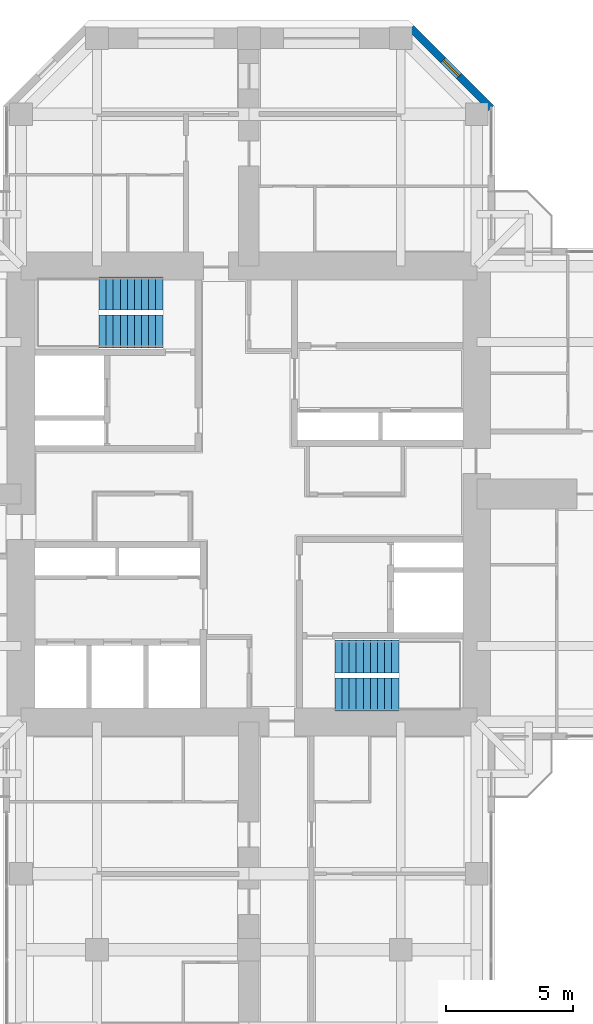
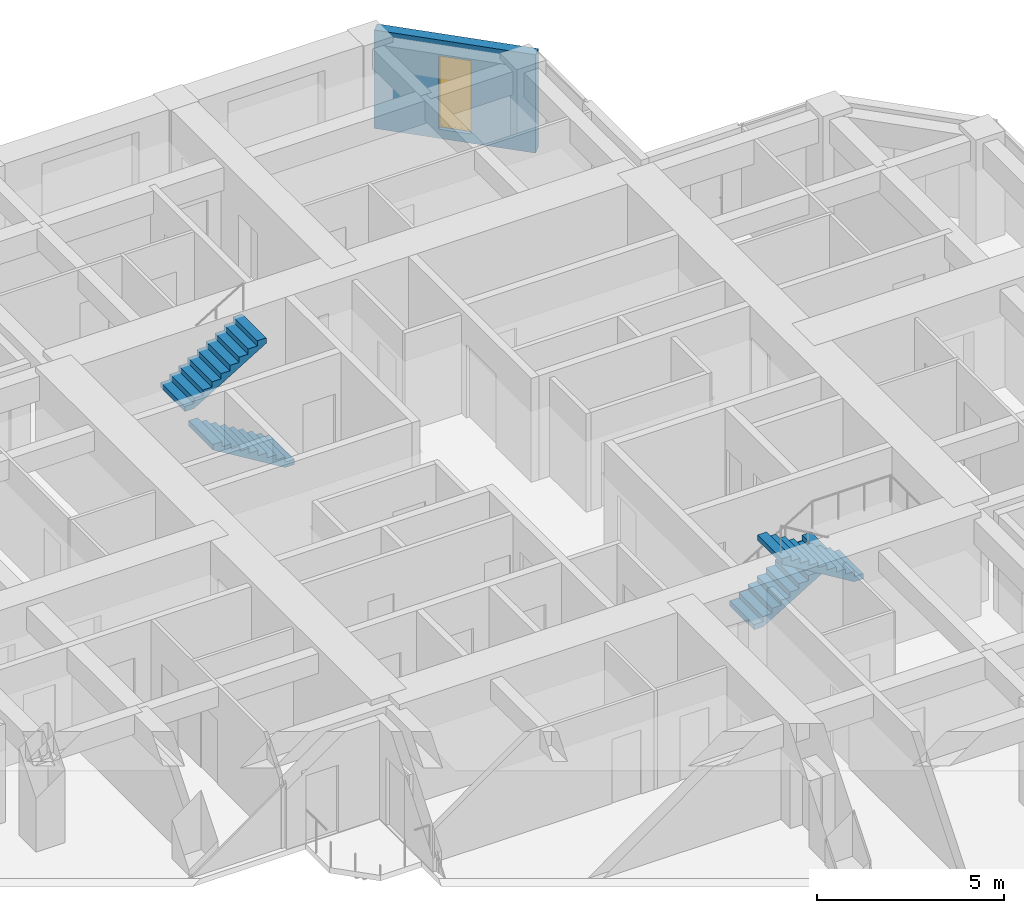
# One storey, part 13 of 14: 4 stair flights, 1 wall, 1 window, 1 opening, 2 elements without a shape of their own.
"""IFC4 building model written with IfcOpenShell, lengths in metres."""

from ifc_helpers import new_model, si_unit, direction, frame, frame_2d, origin, place, context, subcontext, project, spatial, polyline, rectangle, hollow_rectangle, outline, extrude, material, layer, layer_set, constituent, constituent_set, type_object, element, fill, aggregate, save


model = new_model("IFC4")

# Units and contexts
model_context = context("Model", 3, precision=1e-05, world=origin(), true_north=direction((0.0, 1.0)))
body_context = subcontext(model_context, "Body", "Model", "MODEL_VIEW")
ifc_project = project(units=[si_unit("LENGTHUNIT", "METRE"), si_unit("AREAUNIT", "SQUARE_METRE"), si_unit("VOLUMEUNIT", "CUBIC_METRE"), si_unit("PLANEANGLEUNIT", "RADIAN"), si_unit("MASSUNIT", "GRAM", prefix="KILO")], contexts=[model_context])

# Site, building, storey
site_placement = place(None, origin())
site = spatial("IfcSite", under=ifc_project, at=site_placement, CompositionType="ELEMENT")
building_placement = place(site_placement, origin())
building = spatial("IfcBuilding", under=site, at=building_placement, Name="Torre Cruceta", CompositionType="ELEMENT")
storey_placement = place(building_placement, frame((0.0, 0.0, 179.699951171875)))
storey = spatial("IfcBuildingStorey", under=building, at=storey_placement, Name="L44", CompositionType="ELEMENT", Elevation=179.699951171875)

# Wall, opening, window
ifc_material_1 = material(Name="Concrete G30 (fck 30 MPa)", Category="concrete")
ifc_layer = layer(ifc_material_1, 0.300048828125)
ifc_layer_set = layer_set([ifc_layer], Name="Concrete G30 (fck 30 MPa)")
wall_type = type_object("IfcWallType", Name="EXPOSED CONCRETE FACADE WALL 300", PredefinedType="SOLIDWALL", material=ifc_layer_set)
wall_placement = place(storey_placement, frame((9.570068359375, 15.236083984375, 0.0), z_axis=(0.0, 0.0, 1.0), x_axis=(-0.707134062067, 0.707079499254, 0.0)))
wall = element("IfcWall", 1, at=wall_placement, inside=storey, type_object=wall_type, Name="EW1 facade wall L44 N chamfer 06", PredefinedType="SOLIDWALL", context=body_context, shape_type="SweptSolid", body=[
    extrude(rectangle(XDim=4.474609375, YDim=0.300048828125, at=frame_2d((2.2373046875, 0.0))), origin(), (0.0, 0.0, 1.0), 3.219970703125),
])
opening_placement = place(wall_placement, frame((1.787109375, 0.0, 0.300048828125)))
opening = element("IfcOpeningElement", 2, at=opening_placement, cuts=wall, Name="Opening WN5", PredefinedType="OPENING", context=body_context, shape_type="SweptSolid", body=[
    extrude(rectangle(XDim=0.89990234375, YDim=2.39990234375, at=frame_2d((0.449951171875, 1.199951171875))), frame((0.0, 0.159912109375, 0.0), z_axis=(0.0, -1.0, 0.0), x_axis=(1.0, 0.0, 0.0)), (0.0, 0.0, 1.0), 0.320068359375),
])
ifc_material_2 = material(Name="Aluminium window frame", Category="aluminium")
ifc_constituent_1 = constituent(ifc_material_2, Name="Frame")
ifc_material_3 = material(Name="Laminated insulating glass unit, low-iron clear", Category="glass")
ifc_constituent_2 = constituent(ifc_material_3, Name="Glazing")
ifc_constituent_set = constituent_set(constituents=[ifc_constituent_1, ifc_constituent_2], Name="Aluminium window")
window_type = type_object("IfcWindowType", Name="CHAMFER SLOT WINDOW 900X2400", PartitioningType="SINGLE_PANEL", PredefinedType="WINDOW", material=ifc_constituent_set)
window_placement = place(opening_placement, origin())
window = element("IfcWindow", 3, at=window_placement, inside=storey, type_object=window_type, Name="WN5 L44 N 1", OverallHeight=2.39990234375, OverallWidth=0.89990234375, PartitioningType="SINGLE_PANEL", PredefinedType="WINDOW", context=body_context, shape_type="SweptSolid", body=[
    extrude(hollow_rectangle(XDim=0.89990234375, YDim=2.39990234375, WallThickness=0.06005859375, at=frame_2d((0.449951171875, 1.199951171875))), frame((0.0, 0.030029296875, 0.0), z_axis=(0.0, -1.0, 0.0), x_axis=(1.0, 0.0, 0.0)), (0.0, 0.0, 1.0), 0.06005859375),
    extrude(rectangle(XDim=0.77880859375, YDim=2.27880859375, at=frame_2d((0.449951171875, 1.199951171875))), frame((0.0, 0.030029296875, 0.0), z_axis=(0.0, -1.0, 0.0), x_axis=(1.0, 0.0, 0.0)), (0.0, 0.0, 1.0), 0.06005859375),
])
fill(opening, window)

# Stair, stair flights
ifc_material_4 = material(Name="Concrete G30 (fck 30 MPa)", Category="concrete")
stair_type = type_object("IfcStairType", Name="STAIR HALF-TURN 1300", PredefinedType="HALF_TURN_STAIR", material=ifc_material_4)
stair_1_placement = place(storey_placement, origin())
stair_1 = element("IfcStair", 4, at=stair_1_placement, inside=storey, type_object=stair_type, Name="Stair ST1 L44", PredefinedType="HALF_TURN_STAIR")
ifc_material_5 = material(Name="Concrete G30 (fck 30 MPa)", Category="concrete")
stair_flight_type = type_object("IfcStairFlightType", Name="STAIR FLIGHT 1300", PredefinedType="STRAIGHT", material=ifc_material_5)
stair_flight_1_placement = place(storey_placement, frame((-3.39990234375, 6.425048828125, 0.0), z_axis=(0.0, 0.0, 1.0), x_axis=(-1.0, 0.0, 0.0)))
stair_flight_1 = element("IfcStairFlight", 5, at=stair_flight_1_placement, type_object=stair_flight_type, Name="ST1 flight 1", NumberOfRisers=10, NumberOfTreads=9, PredefinedType="STRAIGHT", RiserHeight=0.17, TreadLength=0.28, context=body_context, shape_type="SweptSolid", body=[
    extrude(outline(polyline([(0.0, 0.0), (0.0, 0.169921875), (0.280029296875, 0.169921875), (0.280029296875, 0.340087890625), (0.56005859375, 0.340087890625), (0.56005859375, 0.510009765625), (0.840087890625, 0.510009765625), (0.840087890625, 0.679931640625), (1.1201171875, 0.679931640625), (1.1201171875, 0.85009765625), (1.39990234375, 0.85009765625), (1.39990234375, 1.02001953125), (1.679931640625, 1.02001953125), (1.679931640625, 1.18994140625), (1.9599609375, 1.18994140625), (1.9599609375, 1.360107421875), (2.239990234375, 1.360107421875), (2.239990234375, 1.530029296875), (2.52001953125, 1.530029296875), (2.52001953125, 1.699951171875), (2.52001953125, 1.354736328125), (0.288818359375, 0.0), (0.0, 0.0)])), frame((0.0, 0.64990234375, 0.0), z_axis=(0.0, -1.0, 0.0), x_axis=(1.0, 0.0, 0.0)), (0.0, 0.0, 1.0), 1.300048828125),
])
stair_flight_2_placement = place(storey_placement, frame((-5.919921875, 7.925048828125, 1.699951171875), z_axis=(0.0, 0.0, 1.0), x_axis=(1.0, 0.0, 0.0)))
stair_flight_2 = element("IfcStairFlight", 6, at=stair_flight_2_placement, type_object=stair_flight_type, Name="ST1 flight 2", NumberOfRisers=10, NumberOfTreads=9, PredefinedType="STRAIGHT", RiserHeight=0.17, TreadLength=0.28, context=body_context, shape_type="SweptSolid", body=[
    extrude(outline(polyline([(0.0, 0.0), (0.0, 0.169921875), (0.280029296875, 0.169921875), (0.280029296875, 0.340087890625), (0.56005859375, 0.340087890625), (0.56005859375, 0.510009765625), (0.840087890625, 0.510009765625), (0.840087890625, 0.679931640625), (1.1201171875, 0.679931640625), (1.1201171875, 0.85009765625), (1.39990234375, 0.85009765625), (1.39990234375, 1.02001953125), (1.679931640625, 1.02001953125), (1.679931640625, 1.18994140625), (1.9599609375, 1.18994140625), (1.9599609375, 1.360107421875), (2.239990234375, 1.360107421875), (2.239990234375, 1.530029296875), (2.52001953125, 1.530029296875), (2.52001953125, 1.699951171875), (2.52001953125, 1.354736328125), (0.288818359375, 0.0), (0.0, 0.0)])), frame((0.0, 0.64990234375, 0.0), z_axis=(0.0, -1.0, 0.0), x_axis=(1.0, 0.0, 0.0)), (0.0, 0.0, 1.0), 1.300048828125),
])
aggregate(stair_1, [stair_flight_1, stair_flight_2])

stair_2_placement = place(storey_placement, origin())
stair_2 = element("IfcStair", 7, at=stair_2_placement, inside=storey, type_object=stair_type, Name="Stair ST2 L44", PredefinedType="HALF_TURN_STAIR")
stair_flight_3_placement = place(storey_placement, frame((3.39990234375, -6.425048828125, 0.0), z_axis=(0.0, 0.0, 1.0), x_axis=(1.0, 0.0, 0.0)))
stair_flight_3 = element("IfcStairFlight", 8, at=stair_flight_3_placement, type_object=stair_flight_type, Name="ST2 flight 1", NumberOfRisers=10, NumberOfTreads=9, PredefinedType="STRAIGHT", RiserHeight=0.17, TreadLength=0.28, context=body_context, shape_type="SweptSolid", body=[
    extrude(outline(polyline([(0.0, 0.0), (0.0, 0.169921875), (0.280029296875, 0.169921875), (0.280029296875, 0.340087890625), (0.56005859375, 0.340087890625), (0.56005859375, 0.510009765625), (0.840087890625, 0.510009765625), (0.840087890625, 0.679931640625), (1.1201171875, 0.679931640625), (1.1201171875, 0.85009765625), (1.39990234375, 0.85009765625), (1.39990234375, 1.02001953125), (1.679931640625, 1.02001953125), (1.679931640625, 1.18994140625), (1.9599609375, 1.18994140625), (1.9599609375, 1.360107421875), (2.239990234375, 1.360107421875), (2.239990234375, 1.530029296875), (2.52001953125, 1.530029296875), (2.52001953125, 1.699951171875), (2.52001953125, 1.354736328125), (0.288818359375, 0.0), (0.0, 0.0)])), frame((0.0, 0.64990234375, 0.0), z_axis=(0.0, -1.0, 0.0), x_axis=(1.0, 0.0, 0.0)), (0.0, 0.0, 1.0), 1.300048828125),
])
stair_flight_4_placement = place(storey_placement, frame((5.919921875, -7.925048828125, 1.699951171875), z_axis=(0.0, 0.0, 1.0), x_axis=(-1.0, 0.0, 0.0)))
stair_flight_4 = element("IfcStairFlight", 9, at=stair_flight_4_placement, type_object=stair_flight_type, Name="ST2 flight 2", NumberOfRisers=10, NumberOfTreads=9, PredefinedType="STRAIGHT", RiserHeight=0.17, TreadLength=0.28, context=body_context, shape_type="SweptSolid", body=[
    extrude(outline(polyline([(0.0, 0.0), (0.0, 0.169921875), (0.280029296875, 0.169921875), (0.280029296875, 0.340087890625), (0.56005859375, 0.340087890625), (0.56005859375, 0.510009765625), (0.840087890625, 0.510009765625), (0.840087890625, 0.679931640625), (1.1201171875, 0.679931640625), (1.1201171875, 0.85009765625), (1.39990234375, 0.85009765625), (1.39990234375, 1.02001953125), (1.679931640625, 1.02001953125), (1.679931640625, 1.18994140625), (1.9599609375, 1.18994140625), (1.9599609375, 1.360107421875), (2.239990234375, 1.360107421875), (2.239990234375, 1.530029296875), (2.52001953125, 1.530029296875), (2.52001953125, 1.699951171875), (2.52001953125, 1.354736328125), (0.288818359375, 0.0), (0.0, 0.0)])), frame((0.0, 0.64990234375, 0.0), z_axis=(0.0, -1.0, 0.0), x_axis=(1.0, 0.0, 0.0)), (0.0, 0.0, 1.0), 1.300048828125),
])
aggregate(stair_2, [stair_flight_3, stair_flight_4])

save(model, "model.ifc")
